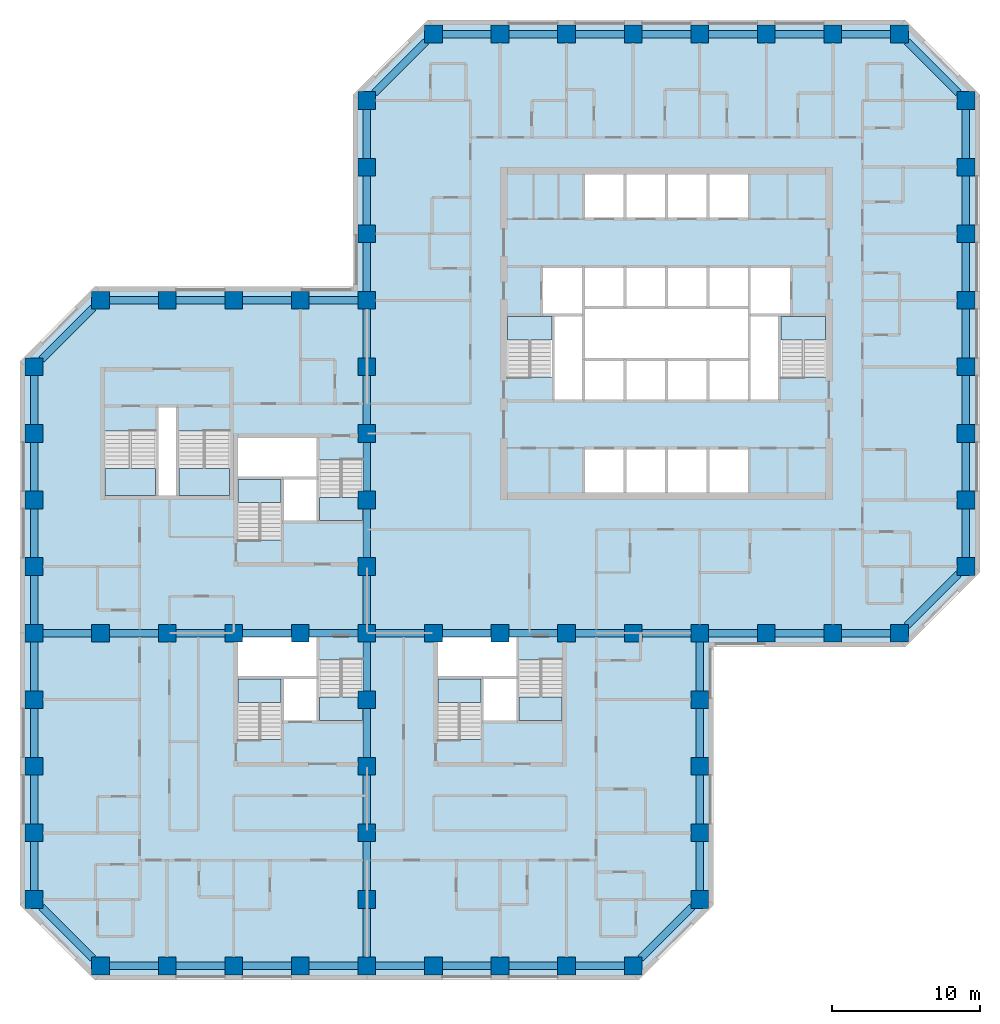
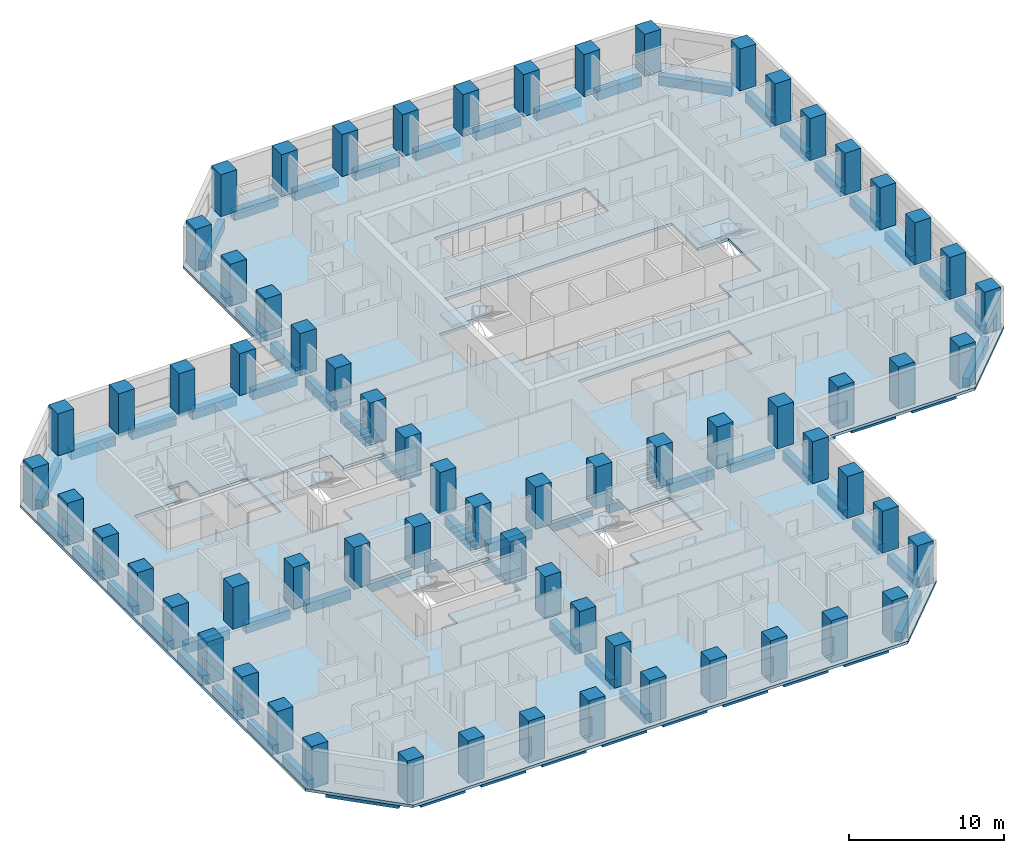
# One storey, part 1 of 12: 70 beams, 67 columns, 11 slabs, 10 elements without a shape of their own.
"""IFC4 building model written with IfcOpenShell, lengths in metres."""

from ifc_helpers import new_model, si_unit, direction, frame, origin, origin_2d, place, context, subcontext, project, spatial, polyline, rectangle, outline, extrude, material, layer, layer_set, material_profile, profile_set, type_object, element, aggregate, save


model = new_model("IFC4")

# Units and contexts
model_context = context("Model", 3, precision=1e-05, world=origin(), true_north=direction((0.0, 1.0)))
body_context = subcontext(model_context, "Body", "Model", "MODEL_VIEW")
ifc_project = project(units=[si_unit("LENGTHUNIT", "METRE"), si_unit("AREAUNIT", "SQUARE_METRE"), si_unit("VOLUMEUNIT", "CUBIC_METRE"), si_unit("PLANEANGLEUNIT", "RADIAN"), si_unit("MASSUNIT", "GRAM", prefix="KILO")], contexts=[model_context])

# Site, building, storey
site_placement = place(None, origin())
site = spatial("IfcSite", under=ifc_project, at=site_placement, CompositionType="ELEMENT")
building_placement = place(site_placement, origin())
building = spatial("IfcBuilding", under=site, at=building_placement, Name="Quoin Convention Tower", CompositionType="ELEMENT")
storey_placement = place(building_placement, frame((0.0, 0.0, 46.199951171875)))
storey = spatial("IfcBuildingStorey", under=building, at=storey_placement, Name="L11", CompositionType="ELEMENT", Elevation=46.199951171875)

# Columns
ifc_material_1 = material(Name="Concrete C80", Category="concrete")
ifc_material_profile_1 = material_profile(ifc_material_1, rectangle(XDim=1.199951171875, YDim=1.199951171875, at=origin_2d()), Name="RC 1200x1200")
ifc_profile_set_1 = profile_set([ifc_material_profile_1], Name="Concrete C80")
column_type = type_object("IfcColumnType", Name="RC 1200x1200 C80", PredefinedType="COLUMN", material=ifc_profile_set_1)
for number, where, z_axis, x_axis, name in (
    (1, (18.0, 18.0, 0.0), (0.0, 0.0, 1.0), (1.0, 0.0, 0.0), "col-L11-18000_18000"),
    (2, (22.5, 18.0, 0.0), (0.0, 0.0, 1.0), (1.0, 0.0, 0.0), "col-L11-22500_18000"),
    (3, (27.0, 18.0, 0.0), (0.0, 0.0, 1.0), (1.0, 0.0, 0.0), "col-L11-27000_18000"),
    (4, (31.5, 18.0, 0.0), (0.0, 0.0, 1.0), (1.0, 0.0, 0.0), "col-L11-31500_18000"),
    (5, (36.0, 18.0, 0.0), (0.0, 0.0, 1.0), (1.0, 0.0, 0.0), "col-L11-36000_18000"),
    (6, (40.5, 18.0, 0.0), (0.0, 0.0, 1.0), (1.0, 0.0, 0.0), "col-L11-40500_18000"),
    (7, (45.0, 18.0, 0.0), (0.0, 0.0, 1.0), (1.0, 0.0, 0.0), "col-L11-45000_18000"),
    (8, (49.5, 18.0, 0.0), (0.0, 0.0, 1.0), (1.0, 0.0, 0.0), "col-L11-49500_18000"),
    (9, (54.0, 18.0, 0.0), (0.0, 0.0, 1.0), (1.0, 0.0, 0.0), "col-L11-54000_18000"),
    (10, (13.5, 22.5, 0.0), (0.0, 0.0, 1.0), (1.0, 0.0, 0.0), "col-L11-13500_22500"),
    (11, (36.0, 22.5, 0.0), (0.0, 0.0, 1.0), (1.0, 0.0, 0.0), "web-L11-36000_22500"),
    (12, (58.5, 22.5, 0.0), (0.0, 0.0, 1.0), (1.0, 0.0, 0.0), "col-L11-58500_22500"),
    (13, (13.5, 27.0, 0.0), (0.0, 0.0, 1.0), (1.0, 0.0, 0.0), "col-L11-13500_27000"),
    (14, (36.0, 27.0, 0.0), (0.0, 0.0, 1.0), (1.0, 0.0, 0.0), "web-L11-36000_27000"),
    (15, (58.5, 27.0, 0.0), (0.0, 0.0, 1.0), (1.0, 0.0, 0.0), "col-L11-58500_27000"),
    (16, (13.5, 31.5, 0.0), (0.0, 0.0, 1.0), (1.0, 0.0, 0.0), "col-L11-13500_31500"),
    (17, (36.0, 31.5, 0.0), (0.0, 0.0, 1.0), (1.0, 0.0, 0.0), "web-L11-36000_31500"),
    (18, (58.5, 31.5, 0.0), (0.0, 0.0, 1.0), (1.0, 0.0, 0.0), "col-L11-58500_31500"),
    (19, (13.5, 36.0, 0.0), (0.0, 0.0, 1.0), (1.0, 0.0, 0.0), "col-L11-13500_36000"),
    (20, (36.0, 36.0, 0.0), (0.0, 0.0, 1.0), (1.0, 0.0, 0.0), "web-L11-36000_36000"),
    (21, (58.5, 36.0, 0.0), (0.0, 0.0, 1.0), (1.0, 0.0, 0.0), "col-L11-58500_36000"),
    (22, (13.5, 40.5, 0.0), (0.0, 0.0, 1.0), (1.0, 0.0, 0.0), "col-L11-13500_40500"),
    (23, (18.0, 40.5, 0.0), (0.0, 0.0, 1.0), (1.0, 0.0, 0.0), "web-L11-18000_40500"),
    (24, (22.5, 40.5, 0.0), (0.0, 0.0, 1.0), (1.0, 0.0, 0.0), "web-L11-22500_40500"),
    (25, (27.0, 40.5, 0.0), (0.0, 0.0, 1.0), (1.0, 0.0, 0.0), "web-L11-27000_40500"),
    (26, (31.5, 40.5, 0.0), (0.0, 0.0, 1.0), (1.0, 0.0, 0.0), "web-L11-31500_40500"),
    (27, (36.0, 40.5, 0.0), (0.0, 0.0, 1.0), (1.0, 0.0, 0.0), "web-L11-36000_40500"),
    (28, (40.5, 40.5, 0.0), (0.0, 0.0, 1.0), (1.0, 0.0, 0.0), "web-L11-40500_40500"),
    (29, (45.0, 40.5, 0.0), (0.0, 0.0, 1.0), (1.0, 0.0, 0.0), "web-L11-45000_40500"),
    (30, (49.5, 40.5, 0.0), (0.0, 0.0, 1.0), (1.0, 0.0, 0.0), "web-L11-49500_40500"),
    (31, (54.0, 40.5, 0.0), (0.0, 0.0, 1.0), (1.0, 0.0, 0.0), "web-L11-54000_40500"),
    (32, (58.5, 40.5, 0.0), (0.0, 0.0, 1.0), (1.0, 0.0, 0.0), "col-L11-58500_40500"),
    (33, (63.0, 40.5, 0.0), (0.0, 0.0, 1.0), (1.0, 0.0, 0.0), "col-L11-63000_40500"),
    (34, (67.5, 40.5, 0.0), (0.0, 0.0, 1.0), (1.0, 0.0, 0.0), "col-L11-67500_40500"),
    (35, (72.0, 40.5, 0.0), (0.0, 0.0, 1.0), (1.0, 0.0, 0.0), "col-L11-72000_40500"),
    (36, (13.5, 45.0, 0.0), (0.0, 0.0, 1.0), (1.0, 0.0, 0.0), "col-L11-13500_45000"),
    (37, (36.0, 45.0, 0.0), (0.0, 0.0, 1.0), (1.0, 0.0, 0.0), "web-L11-36000_45000"),
    (38, (76.5, 45.0, 0.0), (0.0, 0.0, 1.0), (1.0, 0.0, 0.0), "col-L11-76500_45000"),
    (39, (13.5, 49.5, 0.0), (0.0, 0.0, 1.0), (1.0, 0.0, 0.0), "col-L11-13500_49500"),
    (40, (36.0, 49.5, 0.0), (0.0, 0.0, 1.0), (1.0, 0.0, 0.0), "web-L11-36000_49500"),
    (41, (76.5, 49.5, 0.0), (0.0, 0.0, 1.0), (1.0, 0.0, 0.0), "col-L11-76500_49500"),
    (42, (13.5, 54.0, 0.0), (0.0, 0.0, 1.0), (1.0, 0.0, 0.0), "col-L11-13500_54000"),
    (43, (36.0, 54.0, 0.0), (0.0, 0.0, 1.0), (1.0, 0.0, 0.0), "web-L11-36000_54000"),
    (44, (76.5, 54.0, 0.0), (0.0, 0.0, 1.0), (1.0, 0.0, 0.0), "col-L11-76500_54000"),
    (45, (13.5, 58.5, 0.0), (0.0, 0.0, 1.0), (1.0, 0.0, 0.0), "col-L11-13500_58500"),
    (46, (36.0, 58.5, 0.0), (0.0, 0.0, 1.0), (1.0, 0.0, 0.0), "web-L11-36000_58500"),
    (47, (76.5, 58.5, 0.0), (0.0, 0.0, 1.0), (1.0, 0.0, 0.0), "col-L11-76500_58500"),
    (48, (18.0, 63.0, 0.0), (0.0, 0.0, 1.0), (1.0, 0.0, 0.0), "col-L11-18000_63000"),
    (49, (22.5, 63.0, 0.0), (0.0, 0.0, 1.0), (1.0, 0.0, 0.0), "col-L11-22500_63000"),
    (50, (27.0, 63.0, 0.0), (0.0, 0.0, 1.0), (1.0, 0.0, 0.0), "col-L11-27000_63000"),
    (51, (31.5, 63.0, 0.0), (0.0, 0.0, 1.0), (1.0, 0.0, 0.0), "col-L11-31500_63000"),
    (52, (36.0, 63.0, 0.0), (0.0, 0.0, 1.0), (1.0, 0.0, 0.0), "col-L11-36000_63000"),
    (53, (76.5, 63.0, 0.0), (0.0, 0.0, 1.0), (1.0, 0.0, 0.0), "col-L11-76500_63000"),
    (54, (36.0, 67.5, 0.0), (0.0, 0.0, 1.0), (1.0, 0.0, 0.0), "col-L11-36000_67500"),
    (55, (76.5, 67.5, 0.0), (0.0, 0.0, 1.0), (1.0, 0.0, 0.0), "col-L11-76500_67500"),
    (56, (36.0, 72.0, 0.0), (0.0, 0.0, 1.0), (1.0, 0.0, 0.0), "col-L11-36000_72000"),
    (57, (76.5, 72.0, 0.0), (0.0, 0.0, 1.0), (1.0, 0.0, 0.0), "col-L11-76500_72000"),
    (58, (36.0, 76.5, 0.0), (0.0, 0.0, 1.0), (1.0, 0.0, 0.0), "col-L11-36000_76500"),
    (59, (76.5, 76.5, 0.0), (0.0, 0.0, 1.0), (1.0, 0.0, 0.0), "col-L11-76500_76500"),
    (60, (40.5, 81.0, 0.0), (0.0, 0.0, 1.0), (1.0, 0.0, 0.0), "col-L11-40500_81000"),
    (61, (45.0, 81.0, 0.0), (0.0, 0.0, 1.0), (1.0, 0.0, 0.0), "col-L11-45000_81000"),
    (62, (49.5, 81.0, 0.0), (0.0, 0.0, 1.0), (1.0, 0.0, 0.0), "col-L11-49500_81000"),
    (63, (54.0, 81.0, 0.0), (0.0, 0.0, 1.0), (1.0, 0.0, 0.0), "col-L11-54000_81000"),
    (64, (58.5, 81.0, 0.0), (0.0, 0.0, 1.0), (1.0, 0.0, 0.0), "col-L11-58500_81000"),
    (65, (63.0, 81.0, 0.0), (0.0, 0.0, 1.0), (1.0, 0.0, 0.0), "col-L11-63000_81000"),
    (66, (67.5, 81.0, 0.0), (0.0, 0.0, 1.0), (1.0, 0.0, 0.0), "col-L11-67500_81000"),
    (67, (72.0, 81.0, 0.0), (0.0, 0.0, 1.0), (1.0, 0.0, 0.0), "col-L11-72000_81000"),
):
    element("IfcColumn", number, at=place(storey_placement, frame(where, z_axis=z_axis, x_axis=x_axis)), inside=storey, type_object=column_type, Name=name, PredefinedType="COLUMN", context=body_context, shape_type="SweptSolid", body=[
        extrude(rectangle(XDim=1.199951171875, YDim=1.199951171875, at=origin_2d()), origin(), (0.0, 0.0, 1.0), 3.300048828125),
    ])

# Beams
ifc_material_profile_2 = material_profile(ifc_material_1, rectangle(XDim=0.5, YDim=0.75, at=origin_2d()), Name="RC 500x750")
ifc_profile_set_2 = profile_set([ifc_material_profile_2], Name="Concrete C80")
beam_type = type_object("IfcBeamType", Name="RC 500x750 C80", PredefinedType="SPANDREL", material=ifc_profile_set_2)
beam_1_placement = place(storey_placement, frame((14.01513671875, 21.98486328125, -0.594970703125), z_axis=(0.707106781187, -0.707106781187, 0.0), x_axis=(0.707106781187, 0.707106781187, 0.0)))
element("IfcBeam", 68, at=beam_1_placement, inside=storey, type_object=beam_type, Name="spd-L11-13500_22500-18000_18000", PredefinedType="SPANDREL", context=body_context, shape_type="SweptSolid", body=[
    extrude(rectangle(XDim=0.5, YDim=0.75, at=origin_2d()), origin(), (0.0, 0.0, 1.0), 4.906982421875),
])
for number, where, z_axis, x_axis, name in (
    (69, (18.60009765625, 18.0, -0.594970703125), (1.0, 0.0, 0.0), (0.0, 1.0, 0.0), "spd-L11-18000_18000-22500_18000"),
    (70, (23.10009765625, 18.0, -0.594970703125), (1.0, 0.0, 0.0), (0.0, 1.0, 0.0), "spd-L11-22500_18000-27000_18000"),
    (71, (27.60009765625, 18.0, -0.594970703125), (1.0, 0.0, 0.0), (0.0, 1.0, 0.0), "spd-L11-27000_18000-31500_18000"),
    (72, (32.10009765625, 18.0, -0.594970703125), (1.0, 0.0, 0.0), (0.0, 1.0, 0.0), "spd-L11-31500_18000-36000_18000"),
    (73, (36.60009765625, 18.0, -0.594970703125), (1.0, 0.0, 0.0), (0.0, 1.0, 0.0), "spd-L11-36000_18000-40500_18000"),
    (74, (41.10009765625, 18.0, -0.594970703125), (1.0, 0.0, 0.0), (0.0, 1.0, 0.0), "spd-L11-40500_18000-45000_18000"),
    (75, (45.60009765625, 18.0, -0.594970703125), (1.0, 0.0, 0.0), (0.0, 1.0, 0.0), "spd-L11-45000_18000-49500_18000"),
    (76, (50.10009765625, 18.0, -0.594970703125), (1.0, 0.0, 0.0), (0.0, 1.0, 0.0), "spd-L11-49500_18000-54000_18000"),
):
    element("IfcBeam", number, at=place(storey_placement, frame(where, z_axis=z_axis, x_axis=x_axis)), inside=storey, type_object=beam_type, Name=name, PredefinedType="SPANDREL", context=body_context, shape_type="SweptSolid", body=[
        extrude(rectangle(XDim=0.5, YDim=0.75, at=origin_2d()), origin(), (0.0, 0.0, 1.0), 3.2998046875),
    ])
beam_2_placement = place(storey_placement, frame((54.51513671875, 18.51513671875, -0.594970703125), z_axis=(0.707106781187, 0.707106781187, 0.0), x_axis=(-0.707106781187, 0.707106781187, 0.0)))
element("IfcBeam", 77, at=beam_2_placement, inside=storey, type_object=beam_type, Name="spd-L11-54000_18000-58500_22500", PredefinedType="SPANDREL", context=body_context, shape_type="SweptSolid", body=[
    extrude(rectangle(XDim=0.5, YDim=0.75, at=origin_2d()), origin(), (0.0, 0.0, 1.0), 4.906982421875),
])
for number, where, z_axis, x_axis, name in (
    (78, (58.5, 23.10009765625, -0.594970703125), (0.0, 1.0, 0.0), (-1.0, 0.0, 0.0), "spd-L11-58500_22500-58500_27000"),
    (79, (58.5, 27.60009765625, -0.594970703125), (0.0, 1.0, 0.0), (-1.0, 0.0, 0.0), "spd-L11-58500_27000-58500_31500"),
    (80, (58.5, 32.10009765625, -0.594970703125), (0.0, 1.0, 0.0), (-1.0, 0.0, 0.0), "spd-L11-58500_31500-58500_36000"),
    (81, (58.5, 36.60009765625, -0.594970703125), (0.0, 1.0, 0.0), (-1.0, 0.0, 0.0), "spd-L11-58500_36000-58500_40500"),
    (82, (59.10009765625, 40.5, -0.594970703125), (1.0, 0.0, 0.0), (0.0, 1.0, 0.0), "spd-L11-58500_40500-63000_40500"),
    (83, (63.60009765625, 40.5, -0.594970703125), (1.0, 0.0, 0.0), (0.0, 1.0, 0.0), "spd-L11-63000_40500-67500_40500"),
    (84, (68.10009765625, 40.5, -0.594970703125), (1.0, 0.0, 0.0), (0.0, 1.0, 0.0), "spd-L11-67500_40500-72000_40500"),
):
    element("IfcBeam", number, at=place(storey_placement, frame(where, z_axis=z_axis, x_axis=x_axis)), inside=storey, type_object=beam_type, Name=name, PredefinedType="SPANDREL", context=body_context, shape_type="SweptSolid", body=[
        extrude(rectangle(XDim=0.5, YDim=0.75, at=origin_2d()), origin(), (0.0, 0.0, 1.0), 3.2998046875),
    ])
beam_3_placement = place(storey_placement, frame((72.51513671875, 41.01513671875, -0.594970703125), z_axis=(0.707106781187, 0.707106781187, 0.0), x_axis=(-0.707106781187, 0.707106781187, 0.0)))
element("IfcBeam", 85, at=beam_3_placement, inside=storey, type_object=beam_type, Name="spd-L11-72000_40500-76500_45000", PredefinedType="SPANDREL", context=body_context, shape_type="SweptSolid", body=[
    extrude(rectangle(XDim=0.5, YDim=0.75, at=origin_2d()), origin(), (0.0, 0.0, 1.0), 4.906982421875),
])
for number, where, z_axis, x_axis, name in (
    (86, (76.5, 45.60009765625, -0.594970703125), (0.0, 1.0, 0.0), (-1.0, 0.0, 0.0), "spd-L11-76500_45000-76500_49500"),
    (87, (76.5, 50.10009765625, -0.594970703125), (0.0, 1.0, 0.0), (-1.0, 0.0, 0.0), "spd-L11-76500_49500-76500_54000"),
    (88, (76.5, 54.60009765625, -0.594970703125), (0.0, 1.0, 0.0), (-1.0, 0.0, 0.0), "spd-L11-76500_54000-76500_58500"),
    (89, (76.5, 59.10009765625, -0.594970703125), (0.0, 1.0, 0.0), (-1.0, 0.0, 0.0), "spd-L11-76500_58500-76500_63000"),
    (90, (76.5, 63.60009765625, -0.594970703125), (0.0, 1.0, 0.0), (-1.0, 0.0, 0.0), "spd-L11-76500_63000-76500_67500"),
    (91, (76.5, 68.10009765625, -0.594970703125), (0.0, 1.0, 0.0), (-1.0, 0.0, 0.0), "spd-L11-76500_67500-76500_72000"),
    (92, (76.5, 72.60009765625, -0.594970703125), (0.0, 1.0, 0.0), (-1.0, 0.0, 0.0), "spd-L11-76500_72000-76500_76500"),
):
    element("IfcBeam", number, at=place(storey_placement, frame(where, z_axis=z_axis, x_axis=x_axis)), inside=storey, type_object=beam_type, Name=name, PredefinedType="SPANDREL", context=body_context, shape_type="SweptSolid", body=[
        extrude(rectangle(XDim=0.5, YDim=0.75, at=origin_2d()), origin(), (0.0, 0.0, 1.0), 3.2998046875),
    ])
beam_4_placement = place(storey_placement, frame((75.98486328125, 77.01513671875, -0.594970703125), z_axis=(-0.707106781187, 0.707106781187, 0.0), x_axis=(-0.707106781187, -0.707106781187, 0.0)))
element("IfcBeam", 93, at=beam_4_placement, inside=storey, type_object=beam_type, Name="spd-L11-76500_76500-72000_81000", PredefinedType="SPANDREL", context=body_context, shape_type="SweptSolid", body=[
    extrude(rectangle(XDim=0.5, YDim=0.75, at=origin_2d()), origin(), (0.0, 0.0, 1.0), 4.906982421875),
])
for number, where, z_axis, x_axis, name in (
    (94, (71.39990234375, 81.0, -0.594970703125), (-1.0, 0.0, 0.0), (0.0, -1.0, 0.0), "spd-L11-72000_81000-67500_81000"),
    (95, (66.89990234375, 81.0, -0.594970703125), (-1.0, 0.0, 0.0), (0.0, -1.0, 0.0), "spd-L11-67500_81000-63000_81000"),
    (96, (62.39990234375, 81.0, -0.594970703125), (-1.0, 0.0, 0.0), (0.0, -1.0, 0.0), "spd-L11-63000_81000-58500_81000"),
    (97, (57.89990234375, 81.0, -0.594970703125), (-1.0, 0.0, 0.0), (0.0, -1.0, 0.0), "spd-L11-58500_81000-54000_81000"),
    (98, (53.39990234375, 81.0, -0.594970703125), (-1.0, 0.0, 0.0), (0.0, -1.0, 0.0), "spd-L11-54000_81000-49500_81000"),
    (99, (48.89990234375, 81.0, -0.594970703125), (-1.0, 0.0, 0.0), (0.0, -1.0, 0.0), "spd-L11-49500_81000-45000_81000"),
    (100, (44.39990234375, 81.0, -0.594970703125), (-1.0, 0.0, 0.0), (0.0, -1.0, 0.0), "spd-L11-45000_81000-40500_81000"),
):
    element("IfcBeam", number, at=place(storey_placement, frame(where, z_axis=z_axis, x_axis=x_axis)), inside=storey, type_object=beam_type, Name=name, PredefinedType="SPANDREL", context=body_context, shape_type="SweptSolid", body=[
        extrude(rectangle(XDim=0.5, YDim=0.75, at=origin_2d()), origin(), (0.0, 0.0, 1.0), 3.2998046875),
    ])
beam_5_placement = place(storey_placement, frame((39.98486328125, 80.48486328125, -0.594970703125), z_axis=(-0.707106781187, -0.707106781187, 0.0), x_axis=(0.707106781187, -0.707106781187, 0.0)))
element("IfcBeam", 101, at=beam_5_placement, inside=storey, type_object=beam_type, Name="spd-L11-40500_81000-36000_76500", PredefinedType="SPANDREL", context=body_context, shape_type="SweptSolid", body=[
    extrude(rectangle(XDim=0.5, YDim=0.75, at=origin_2d()), origin(), (0.0, 0.0, 1.0), 4.906982421875),
])
for number, where, z_axis, x_axis, name in (
    (102, (36.0, 75.89990234375, -0.594970703125), (0.0, -1.0, 0.0), (1.0, 0.0, 0.0), "spd-L11-36000_76500-36000_72000"),
    (103, (36.0, 71.39990234375, -0.594970703125), (0.0, -1.0, 0.0), (1.0, 0.0, 0.0), "spd-L11-36000_72000-36000_67500"),
    (104, (36.0, 66.89990234375, -0.594970703125), (0.0, -1.0, 0.0), (1.0, 0.0, 0.0), "spd-L11-36000_67500-36000_63000"),
    (105, (35.39990234375, 63.0, -0.594970703125), (-1.0, 0.0, 0.0), (0.0, -1.0, 0.0), "spd-L11-36000_63000-31500_63000"),
    (106, (30.89990234375, 63.0, -0.594970703125), (-1.0, 0.0, 0.0), (0.0, -1.0, 0.0), "spd-L11-31500_63000-27000_63000"),
    (107, (26.39990234375, 63.0, -0.594970703125), (-1.0, 0.0, 0.0), (0.0, -1.0, 0.0), "spd-L11-27000_63000-22500_63000"),
    (108, (21.89990234375, 63.0, -0.594970703125), (-1.0, 0.0, 0.0), (0.0, -1.0, 0.0), "spd-L11-22500_63000-18000_63000"),
):
    element("IfcBeam", number, at=place(storey_placement, frame(where, z_axis=z_axis, x_axis=x_axis)), inside=storey, type_object=beam_type, Name=name, PredefinedType="SPANDREL", context=body_context, shape_type="SweptSolid", body=[
        extrude(rectangle(XDim=0.5, YDim=0.75, at=origin_2d()), origin(), (0.0, 0.0, 1.0), 3.2998046875),
    ])
beam_6_placement = place(storey_placement, frame((17.48486328125, 62.48486328125, -0.594970703125), z_axis=(-0.707106781187, -0.707106781187, 0.0), x_axis=(0.707106781187, -0.707106781187, 0.0)))
element("IfcBeam", 109, at=beam_6_placement, inside=storey, type_object=beam_type, Name="spd-L11-18000_63000-13500_58500", PredefinedType="SPANDREL", context=body_context, shape_type="SweptSolid", body=[
    extrude(rectangle(XDim=0.5, YDim=0.75, at=origin_2d()), origin(), (0.0, 0.0, 1.0), 4.906982421875),
])
for number, where, z_axis, x_axis, name in (
    (110, (13.5, 57.89990234375, -0.594970703125), (0.0, -1.0, 0.0), (1.0, 0.0, 0.0), "spd-L11-13500_58500-13500_54000"),
    (111, (13.5, 53.39990234375, -0.594970703125), (0.0, -1.0, 0.0), (1.0, 0.0, 0.0), "spd-L11-13500_54000-13500_49500"),
    (112, (13.5, 48.89990234375, -0.594970703125), (0.0, -1.0, 0.0), (1.0, 0.0, 0.0), "spd-L11-13500_49500-13500_45000"),
    (113, (13.5, 44.39990234375, -0.594970703125), (0.0, -1.0, 0.0), (1.0, 0.0, 0.0), "spd-L11-13500_45000-13500_40500"),
    (114, (13.5, 39.89990234375, -0.594970703125), (0.0, -1.0, 0.0), (1.0, 0.0, 0.0), "spd-L11-13500_40500-13500_36000"),
    (115, (13.5, 35.39990234375, -0.594970703125), (0.0, -1.0, 0.0), (1.0, 0.0, 0.0), "spd-L11-13500_36000-13500_31500"),
    (116, (13.5, 30.89990234375, -0.594970703125), (0.0, -1.0, 0.0), (1.0, 0.0, 0.0), "spd-L11-13500_31500-13500_27000"),
    (117, (13.5, 26.39990234375, -0.594970703125), (0.0, -1.0, 0.0), (1.0, 0.0, 0.0), "spd-L11-13500_27000-13500_22500"),
    (118, (14.10009765625, 40.5, -0.594970703125), (1.0, 0.0, 0.0), (0.0, 1.0, 0.0), "spd-L11-13500_40500-18000_40500"),
    (119, (18.60009765625, 40.5, -0.594970703125), (1.0, 0.0, 0.0), (0.0, 1.0, 0.0), "spd-L11-18000_40500-22500_40500"),
    (120, (23.10009765625, 40.5, -0.594970703125), (1.0, 0.0, 0.0), (0.0, 1.0, 0.0), "spd-L11-22500_40500-27000_40500"),
    (121, (27.60009765625, 40.5, -0.594970703125), (1.0, 0.0, 0.0), (0.0, 1.0, 0.0), "spd-L11-27000_40500-31500_40500"),
    (122, (32.10009765625, 40.5, -0.594970703125), (1.0, 0.0, 0.0), (0.0, 1.0, 0.0), "spd-L11-31500_40500-36000_40500"),
    (123, (36.60009765625, 40.5, -0.594970703125), (1.0, 0.0, 0.0), (0.0, 1.0, 0.0), "spd-L11-36000_40500-40500_40500"),
    (124, (41.10009765625, 40.5, -0.594970703125), (1.0, 0.0, 0.0), (0.0, 1.0, 0.0), "spd-L11-40500_40500-45000_40500"),
    (125, (45.60009765625, 40.5, -0.594970703125), (1.0, 0.0, 0.0), (0.0, 1.0, 0.0), "spd-L11-45000_40500-49500_40500"),
    (126, (50.10009765625, 40.5, -0.594970703125), (1.0, 0.0, 0.0), (0.0, 1.0, 0.0), "spd-L11-49500_40500-54000_40500"),
    (127, (54.60009765625, 40.5, -0.594970703125), (1.0, 0.0, 0.0), (0.0, 1.0, 0.0), "spd-L11-54000_40500-58500_40500"),
    (128, (36.0, 18.60009765625, -0.594970703125), (0.0, 1.0, 0.0), (-1.0, 0.0, 0.0), "spd-L11-36000_18000-36000_22500"),
    (129, (36.0, 23.10009765625, -0.594970703125), (0.0, 1.0, 0.0), (-1.0, 0.0, 0.0), "spd-L11-36000_22500-36000_27000"),
    (130, (36.0, 27.60009765625, -0.594970703125), (0.0, 1.0, 0.0), (-1.0, 0.0, 0.0), "spd-L11-36000_27000-36000_31500"),
    (131, (36.0, 32.10009765625, -0.594970703125), (0.0, 1.0, 0.0), (-1.0, 0.0, 0.0), "spd-L11-36000_31500-36000_36000"),
    (132, (36.0, 36.60009765625, -0.594970703125), (0.0, 1.0, 0.0), (-1.0, 0.0, 0.0), "spd-L11-36000_36000-36000_40500"),
    (133, (36.0, 41.10009765625, -0.594970703125), (0.0, 1.0, 0.0), (-1.0, 0.0, 0.0), "spd-L11-36000_40500-36000_45000"),
    (134, (36.0, 45.60009765625, -0.594970703125), (0.0, 1.0, 0.0), (-1.0, 0.0, 0.0), "spd-L11-36000_45000-36000_49500"),
    (135, (36.0, 50.10009765625, -0.594970703125), (0.0, 1.0, 0.0), (-1.0, 0.0, 0.0), "spd-L11-36000_49500-36000_54000"),
    (136, (36.0, 54.60009765625, -0.594970703125), (0.0, 1.0, 0.0), (-1.0, 0.0, 0.0), "spd-L11-36000_54000-36000_58500"),
    (137, (36.0, 59.10009765625, -0.594970703125), (0.0, 1.0, 0.0), (-1.0, 0.0, 0.0), "spd-L11-36000_58500-36000_63000"),
):
    element("IfcBeam", number, at=place(storey_placement, frame(where, z_axis=z_axis, x_axis=x_axis)), inside=storey, type_object=beam_type, Name=name, PredefinedType="SPANDREL", context=body_context, shape_type="SweptSolid", body=[
        extrude(rectangle(XDim=0.5, YDim=0.75, at=origin_2d()), origin(), (0.0, 0.0, 1.0), 3.2998046875),
    ])

# Slab
ifc_material_2 = material(Name="Concrete C50", Category="concrete")
ifc_layer_1 = layer(ifc_material_2, 0.219970703125)
ifc_layer_set_1 = layer_set([ifc_layer_1], Name="Concrete C50")
slab_type_1 = type_object("IfcSlabType", Name="RC SLAB 220 C50", PredefinedType="FLOOR", material=ifc_layer_set_1)
slab_1_placement = place(storey_placement, frame((0.0, 0.0, -0.219970703125)))
element("IfcSlab", 138, at=slab_1_placement, inside=storey, type_object=slab_type_1, Name="slb-L11", PredefinedType="FLOOR", context=body_context, shape_type="SweptSolid", body=[
    extrude(outline(polyline([(12.550048828125, 58.8935546875), (17.6064453125, 63.949951171875), (35.050048828125, 63.949951171875), (35.050048828125, 76.8935546875), (40.1064453125, 81.949951171875), (72.3935546875, 81.949951171875), (77.449951171875, 76.8935546875), (77.449951171875, 44.6064453125), (72.3935546875, 39.550048828125), (59.449951171875, 39.550048828125), (59.449951171875, 22.1064453125), (54.3935546875, 17.050048828125), (17.6064453125, 17.050048828125), (12.550048828125, 22.1064453125), (12.550048828125, 58.8935546875)]), holes=[polyline([(30.300048828125, 33.300537109375), (30.300048828125, 34.5), (32.699951171875, 34.5), (35.699951171875, 34.5), (35.699951171875, 38.699462890625), (32.699951171875, 38.699462890625), (32.699951171875, 40.199951171875), (27.300048828125, 40.199951171875), (27.300048828125, 37.5), (27.300048828125, 33.300537109375), (30.300048828125, 33.300537109375)]), polyline([(43.800048828125, 33.300537109375), (43.800048828125, 34.5), (46.199951171875, 34.5), (49.199951171875, 34.5), (49.199951171875, 38.699462890625), (46.199951171875, 38.699462890625), (46.199951171875, 40.199951171875), (40.800048828125, 40.199951171875), (40.800048828125, 37.5), (40.800048828125, 33.300537109375), (43.800048828125, 33.300537109375)]), polyline([(27.300048828125, 46.800537109375), (30.300048828125, 46.800537109375), (30.300048828125, 48.0), (32.699951171875, 48.0), (35.699951171875, 48.0), (35.699951171875, 52.199462890625), (32.699951171875, 52.199462890625), (32.699951171875, 53.699951171875), (27.300048828125, 53.699951171875), (27.300048828125, 51.0), (27.300048828125, 46.800537109375)]), polyline([(53.449951171875, 50.0), (56.25, 50.0), (59.050048828125, 50.0), (61.85009765625, 50.0), (61.85009765625, 53.0), (59.050048828125, 53.0), (56.25, 53.0), (53.449951171875, 53.0), (50.64990234375, 53.0), (50.64990234375, 50.0), (53.449951171875, 50.0)]), polyline([(23.199951171875, 49.800048828125), (26.699951171875, 49.800048828125), (26.699951171875, 54.1494140625), (23.199951171875, 54.1494140625), (23.199951171875, 55.85009765625), (21.800048828125, 55.85009765625), (21.800048828125, 54.1494140625), (18.300048828125, 54.1494140625), (18.300048828125, 49.800048828125), (21.800048828125, 49.800048828125), (23.199951171875, 49.800048828125)]), polyline([(45.5, 57.800537109375), (48.60009765625, 57.800537109375), (48.60009765625, 56.199951171875), (50.64990234375, 56.199951171875), (53.449951171875, 56.199951171875), (56.25, 56.199951171875), (59.050048828125, 56.199951171875), (61.85009765625, 56.199951171875), (63.89990234375, 56.199951171875), (63.89990234375, 57.800537109375), (67.0, 57.800537109375), (67.0, 62.0), (64.699951171875, 62.0), (64.699951171875, 65.300048828125), (61.85009765625, 65.300048828125), (59.050048828125, 65.300048828125), (56.25, 65.300048828125), (53.449951171875, 65.300048828125), (50.64990234375, 65.300048828125), (47.800048828125, 65.300048828125), (47.800048828125, 62.0), (45.5, 62.0), (45.5, 57.800537109375)]), polyline([(59.050048828125, 68.5), (61.85009765625, 68.5), (61.85009765625, 71.5), (59.050048828125, 71.5), (56.25, 71.5), (53.449951171875, 71.5), (50.64990234375, 71.5), (50.64990234375, 68.5), (53.449951171875, 68.5), (56.25, 68.5), (59.050048828125, 68.5)])]), origin(), (0.0, 0.0, 1.0), 0.219970703125),
])

# Stair, slab
ifc_material_3 = material(Name="Concrete C40", Category="concrete")
stair_type_1 = type_object("IfcStairType", Name="Exit stair two-flight 1350", PredefinedType="HALF_TURN_STAIR", material=ifc_material_3)
stair_1_placement = place(storey_placement, origin())
stair_1 = element("IfcStair", 139, at=stair_1_placement, inside=storey, type_object=stair_type_1, Name="SD1 L11", PredefinedType="HALF_TURN_STAIR")
ifc_layer_2 = layer(ifc_material_3, 0.199951171875)
ifc_layer_set_2 = layer_set([ifc_layer_2], Name="Concrete C40")
slab_type_2 = type_object("IfcSlabType", Name="Stair landing 200", PredefinedType="LANDING", material=ifc_layer_set_2)
slab_2_placement = place(storey_placement, frame((0.0, 0.0, 1.449951171875)))
slab_2 = element("IfcSlab", 140, at=slab_2_placement, type_object=slab_type_2, Name="ST1 landing 1", PredefinedType="LANDING", context=body_context, shape_type="SweptSolid", body=[
    extrude(outline(polyline([(45.5, 60.320068359375), (48.5, 60.320068359375), (48.5, 61.89990234375), (45.5, 61.89990234375), (45.5, 60.320068359375)])), origin(), (0.0, 0.0, 1.0), 0.2001953125),
])
aggregate(stair_1, [slab_2])

stair_2_placement = place(storey_placement, origin())
stair_2 = element("IfcStair", 141, at=stair_2_placement, inside=storey, type_object=stair_type_1, Name="SD2 L11", PredefinedType="HALF_TURN_STAIR")
slab_3_placement = place(storey_placement, frame((0.0, 0.0, 1.449951171875)))
slab_3 = element("IfcSlab", 142, at=slab_3_placement, type_object=slab_type_2, Name="ST2 landing 1", PredefinedType="LANDING", context=body_context, shape_type="SweptSolid", body=[
    extrude(outline(polyline([(64.0, 60.320068359375), (67.0, 60.320068359375), (67.0, 61.89990234375), (64.0, 61.89990234375), (64.0, 60.320068359375)])), origin(), (0.0, 0.0, 1.0), 0.2001953125),
])
aggregate(stair_2, [slab_3])

stair_3_placement = place(storey_placement, origin())
stair_3 = element("IfcStair", 143, at=stair_3_placement, inside=storey, type_object=stair_type_1, Name="SD3 L11", PredefinedType="HALF_TURN_STAIR")
slab_4_placement = place(storey_placement, frame((0.0, 0.0, 1.449951171875)))
slab_4 = element("IfcSlab", 144, at=slab_4_placement, type_object=slab_type_2, Name="ST3 landing 1", PredefinedType="LANDING", context=body_context, shape_type="SweptSolid", body=[
    extrude(outline(polyline([(27.300048828125, 49.320068359375), (30.199951171875, 49.320068359375), (30.199951171875, 50.89990234375), (27.300048828125, 50.89990234375), (27.300048828125, 49.320068359375)])), origin(), (0.0, 0.0, 1.0), 0.2001953125),
])
aggregate(stair_3, [slab_4])

stair_4_placement = place(storey_placement, origin())
stair_4 = element("IfcStair", 145, at=stair_4_placement, inside=storey, type_object=stair_type_1, Name="SD4 L11", PredefinedType="HALF_TURN_STAIR")
slab_5_placement = place(storey_placement, frame((0.0, 0.0, 1.449951171875)))
slab_5 = element("IfcSlab", 146, at=slab_5_placement, type_object=slab_type_2, Name="ST4 landing 1", PredefinedType="LANDING", context=body_context, shape_type="SweptSolid", body=[
    extrude(outline(polyline([(35.699951171875, 49.679931640625), (32.800048828125, 49.679931640625), (32.800048828125, 48.10009765625), (35.699951171875, 48.10009765625), (35.699951171875, 49.679931640625)])), origin(), (0.0, 0.0, 1.0), 0.2001953125),
])
aggregate(stair_4, [slab_5])

stair_5_placement = place(storey_placement, origin())
stair_5 = element("IfcStair", 147, at=stair_5_placement, inside=storey, type_object=stair_type_1, Name="SD5 L11", PredefinedType="HALF_TURN_STAIR")
slab_6_placement = place(storey_placement, frame((0.0, 0.0, 1.449951171875)))
slab_6 = element("IfcSlab", 148, at=slab_6_placement, type_object=slab_type_2, Name="ST5 landing 1", PredefinedType="LANDING", context=body_context, shape_type="SweptSolid", body=[
    extrude(outline(polyline([(40.800048828125, 35.820068359375), (43.699951171875, 35.820068359375), (43.699951171875, 37.39990234375), (40.800048828125, 37.39990234375), (40.800048828125, 35.820068359375)])), origin(), (0.0, 0.0, 1.0), 0.2001953125),
])
aggregate(stair_5, [slab_6])

stair_6_placement = place(storey_placement, origin())
stair_6 = element("IfcStair", 149, at=stair_6_placement, inside=storey, type_object=stair_type_1, Name="SD6 L11", PredefinedType="HALF_TURN_STAIR")
slab_7_placement = place(storey_placement, frame((0.0, 0.0, 1.449951171875)))
slab_7 = element("IfcSlab", 150, at=slab_7_placement, type_object=slab_type_2, Name="ST6 landing 1", PredefinedType="LANDING", context=body_context, shape_type="SweptSolid", body=[
    extrude(outline(polyline([(49.199951171875, 36.179931640625), (46.300048828125, 36.179931640625), (46.300048828125, 34.60009765625), (49.199951171875, 34.60009765625), (49.199951171875, 36.179931640625)])), origin(), (0.0, 0.0, 1.0), 0.2001953125),
])
aggregate(stair_6, [slab_7])

stair_7_placement = place(storey_placement, origin())
stair_7 = element("IfcStair", 151, at=stair_7_placement, inside=storey, type_object=stair_type_1, Name="SD7 L11", PredefinedType="HALF_TURN_STAIR")
slab_8_placement = place(storey_placement, frame((0.0, 0.0, 1.449951171875)))
slab_8 = element("IfcSlab", 152, at=slab_8_placement, type_object=slab_type_2, Name="ST7 landing 1", PredefinedType="LANDING", context=body_context, shape_type="SweptSolid", body=[
    extrude(outline(polyline([(27.300048828125, 35.820068359375), (30.199951171875, 35.820068359375), (30.199951171875, 37.39990234375), (27.300048828125, 37.39990234375), (27.300048828125, 35.820068359375)])), origin(), (0.0, 0.0, 1.0), 0.2001953125),
])
aggregate(stair_7, [slab_8])

stair_8_placement = place(storey_placement, origin())
stair_8 = element("IfcStair", 153, at=stair_8_placement, inside=storey, type_object=stair_type_1, Name="SD8 L11", PredefinedType="HALF_TURN_STAIR")
slab_9_placement = place(storey_placement, frame((0.0, 0.0, 1.449951171875)))
slab_9 = element("IfcSlab", 154, at=slab_9_placement, type_object=slab_type_2, Name="ST8 landing 1", PredefinedType="LANDING", context=body_context, shape_type="SweptSolid", body=[
    extrude(outline(polyline([(35.699951171875, 36.179931640625), (32.800048828125, 36.179931640625), (32.800048828125, 34.60009765625), (35.699951171875, 34.60009765625), (35.699951171875, 36.179931640625)])), origin(), (0.0, 0.0, 1.0), 0.2001953125),
])
aggregate(stair_8, [slab_9])

stair_type_2 = type_object("IfcStairType", Name="Exit stair two-flight 1600", PredefinedType="HALF_TURN_STAIR", material=ifc_material_3)
stair_9_placement = place(storey_placement, origin())
stair_9 = element("IfcStair", 155, at=stair_9_placement, inside=storey, type_object=stair_type_2, Name="SD11 L11", PredefinedType="HALF_TURN_STAIR")
slab_10_placement = place(storey_placement, frame((0.0, 0.0, 1.449951171875)))
slab_10 = element("IfcSlab", 156, at=slab_10_placement, type_object=slab_type_2, Name="ST11 landing 1", PredefinedType="LANDING", context=body_context, shape_type="SweptSolid", body=[
    extrude(outline(polyline([(21.699951171875, 51.6298828125), (18.300048828125, 51.6298828125), (18.300048828125, 49.800048828125), (21.699951171875, 49.800048828125), (21.699951171875, 51.6298828125)])), origin(), (0.0, 0.0, 1.0), 0.2001953125),
])
aggregate(stair_9, [slab_10])

stair_10_placement = place(storey_placement, origin())
stair_10 = element("IfcStair", 157, at=stair_10_placement, inside=storey, type_object=stair_type_2, Name="SD12 L11", PredefinedType="HALF_TURN_STAIR")
slab_11_placement = place(storey_placement, frame((0.0, 0.0, 1.449951171875)))
slab_11 = element("IfcSlab", 158, at=slab_11_placement, type_object=slab_type_2, Name="ST12 landing 1", PredefinedType="LANDING", context=body_context, shape_type="SweptSolid", body=[
    extrude(outline(polyline([(26.699951171875, 51.6298828125), (23.300048828125, 51.6298828125), (23.300048828125, 49.800048828125), (26.699951171875, 49.800048828125), (26.699951171875, 51.6298828125)])), origin(), (0.0, 0.0, 1.0), 0.2001953125),
])
aggregate(stair_10, [slab_11])

save(model, "model.ifc")
